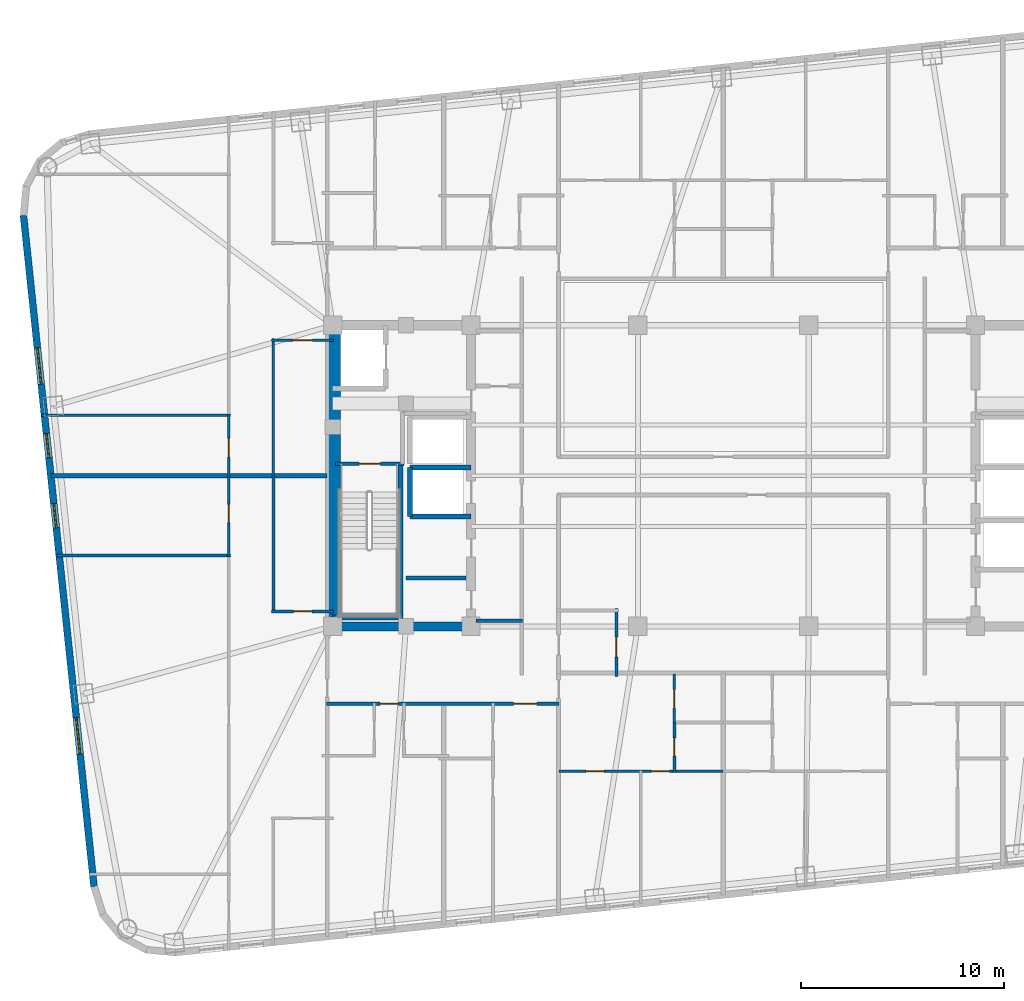
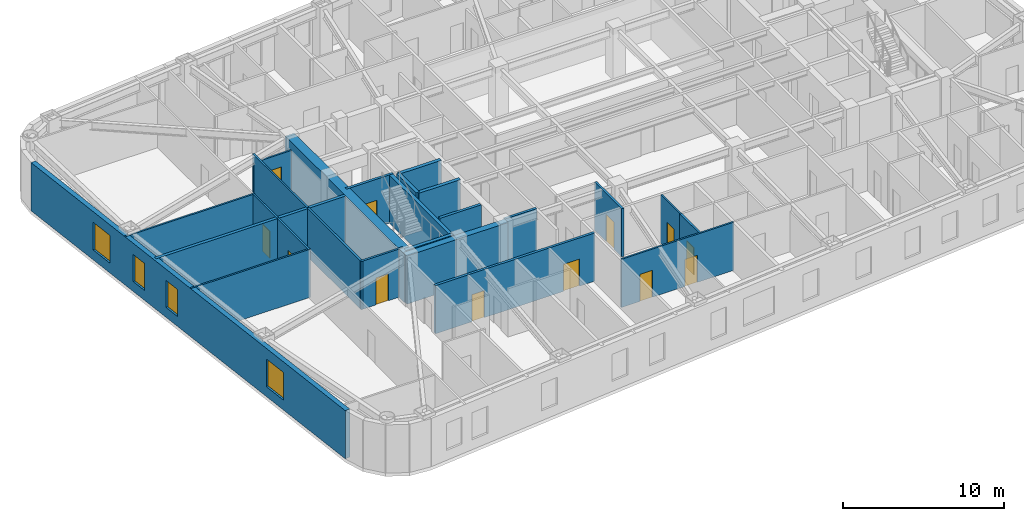
# One storey, part 3 of 11: 25 walls, 12 doors, 4 windows, 16 openings.
"""IFC4 building model written with IfcOpenShell, lengths in metres."""

from ifc_helpers import new_model, si_unit, direction, frame, frame_2d, origin, place, context, subcontext, project, spatial, rectangle, extrude, material, layer, layer_set, type_object, element, fill, save


model = new_model("IFC4")

# Units and contexts
model_context = context("Model", 3, precision=1e-05, world=origin(), true_north=direction((0.0, 1.0)))
body_context = subcontext(model_context, "Body", "Model", "MODEL_VIEW")
ifc_project = project(units=[si_unit("LENGTHUNIT", "METRE"), si_unit("AREAUNIT", "SQUARE_METRE"), si_unit("VOLUMEUNIT", "CUBIC_METRE"), si_unit("PLANEANGLEUNIT", "RADIAN"), si_unit("MASSUNIT", "GRAM", prefix="KILO")], contexts=[model_context])

# Site, building, storey
site_placement = place(None, origin())
site = spatial("IfcSite", under=ifc_project, at=site_placement, CompositionType="ELEMENT")
building_placement = place(site_placement, origin())
building = spatial("IfcBuilding", under=site, at=building_placement, Name="Voryun Gate Residences", CompositionType="ELEMENT")
storey_placement = place(building_placement, frame((0.0, 0.0, 183.300048828125)))
storey = spatial("IfcBuildingStorey", under=building, at=storey_placement, Name="L45", CompositionType="ELEMENT", Elevation=183.300048828125)

# Walls
ifc_material_1 = material(Name="Concrete C50/60", Category="concrete")
ifc_layer_1 = layer(ifc_material_1, 0.449951171875, Name="CW_CORE_450")
ifc_layer_set_1 = layer_set([ifc_layer_1], Name="Concrete C50/60")
wall_type_1 = type_object("IfcWallType", Name="CW_CORE_450", PredefinedType="SHEAR", material=ifc_layer_set_1)
wall_1_placement = place(storey_placement, frame((-19.425048828125, -7.39990234375, 0.0), z_axis=(0.0, 0.0, 1.0), x_axis=(1.0, 0.0, 0.0)))
element("IfcWall", 1, at=wall_1_placement, inside=storey, type_object=wall_type_1, Name="L45 Core shear wall CW-L45-WS", PredefinedType="SHEAR", context=body_context, shape_type="SweptSolid", body=[
    extrude(rectangle(XDim=7.25, YDim=0.449951171875, at=frame_2d((3.625, 0.0))), origin(), (0.0, 0.0, 1.0), 3.64990234375),
])
ifc_material_2 = material(Name="Concrete C60/75", Category="concrete")
ifc_layer_2 = layer(ifc_material_2, 0.64990234375, Name="CW_CORE_650")
ifc_layer_set_2 = layer_set([ifc_layer_2], Name="Concrete C60/75")
wall_type_2 = type_object("IfcWallType", Name="CW_CORE_650", PredefinedType="SHEAR", material=ifc_layer_set_2)
wall_2_placement = place(storey_placement, frame((-19.14501953125, -7.39990234375, 0.0), z_axis=(0.0, 0.0, 1.0), x_axis=(0.0, 1.0, 0.0)))
element("IfcWall", 2, at=wall_2_placement, inside=storey, type_object=wall_type_2, Name="L45 Core shear wall CW-L45-WW", PredefinedType="SHEAR", context=body_context, shape_type="SweptSolid", body=[
    extrude(rectangle(XDim=14.7998046875, YDim=0.64990234375, at=frame_2d((7.39990234375, 0.0))), origin(), (0.0, 0.0, 1.0), 3.64990234375),
])

# Wall, opening, door
ifc_material_3 = material(Name="Gypsum acoustic fireboard")
ifc_layer_3 = layer(ifc_material_3, 0.179931640625, Name="W_CORR_RATED_180")
ifc_layer_set_3 = layer_set([ifc_layer_3], Name="Gypsum acoustic fireboard")
wall_type_3 = type_object("IfcWallType", Name="W_CORR_RATED_180", PredefinedType="PARTITIONING", material=ifc_layer_set_3)
wall_3_placement = place(storey_placement, frame((-19.06005859375, 0.60009765625, 0.0), z_axis=(0.0, 0.0, 1.0), x_axis=(1.0, 0.0, 0.0)))
wall_3 = element("IfcWall", 3, at=wall_3_placement, inside=storey, type_object=wall_type_3, Name="Partition wall WP-L45-STV-W", PredefinedType="PARTITIONING", context=body_context, shape_type="SweptSolid", body=[
    extrude(rectangle(XDim=3.360107421875, YDim=0.179931640625, at=frame_2d((1.68017578125, 0.0))), origin(), (0.0, 0.0, 1.0), 3.64990234375),
])
opening_1_placement = place(wall_3_placement, frame((1.155029296875, 0.0, 0.0)))
opening_1 = element("IfcOpeningElement", 4, at=opening_1_placement, cuts=wall_3, Name="Opening D-FD60-1", PredefinedType="OPENING", context=body_context, shape_type="SweptSolid", body=[
    extrude(rectangle(XDim=1.050048828125, YDim=2.050048828125, at=frame_2d((0.52490234375, 1.02490234375))), frame((0.0, 0.099853515625, 0.0), z_axis=(0.0, -1.0, 0.0), x_axis=(1.0, 0.0, 0.0)), (0.0, 0.0, 1.0), 0.199951171875),
])
ifc_material_4 = material(Name="Painted steel fire door", Category="steel")
door_type_1 = type_object("IfcDoorType", Name="DR_FD60_STAIR_1050", OperationType="NOTDEFINED", PredefinedType="DOOR", material=ifc_material_4)
door_1_placement = place(opening_1_placement, origin())
door_1 = element("IfcDoor", 5, at=door_1_placement, inside=storey, type_object=door_type_1, Name="Door DR-L45-ST-W", OperationType="SINGLE_SWING_LEFT", OverallHeight=2.050048828125, OverallWidth=1.050048828125, PredefinedType="DOOR", context=body_context, shape_type="SweptSolid", body=[
    extrude(rectangle(XDim=1.050048828125, YDim=2.050048828125, at=frame_2d((0.52490234375, 1.02490234375))), frame((0.0, 0.02490234375, 0.0), z_axis=(0.0, -1.0, 0.0), x_axis=(1.0, 0.0, 0.0)), (0.0, 0.0, 1.0), 0.050048828125),
])
fill(opening_1, door_1)

# Wall
wall_4_placement = place(storey_placement, frame((-12.14990234375, -7.1201171875, 0.0), z_axis=(0.0, 0.0, 1.0), x_axis=(1.0, 0.0, 0.0)))
element("IfcWall", 6, at=wall_4_placement, inside=storey, type_object=wall_type_3, Name="Partition wall WP-L45-PLBS-W", PredefinedType="PARTITIONING", context=body_context, shape_type="SweptSolid", body=[
    extrude(rectangle(XDim=2.27001953125, YDim=0.179931640625, at=frame_2d((1.135009765625, 0.0))), origin(), (0.0, 0.0, 1.0), 3.64990234375),
])

# Wall, openings, doors
wall_5_placement = place(storey_placement, frame((-19.5, -11.199951171875, 0.0), z_axis=(0.0, 0.0, 1.0), x_axis=(1.0, 0.0, 0.0)))
wall_5 = element("IfcWall", 7, at=wall_5_placement, inside=storey, type_object=wall_type_3, Name="Partition wall WP-L45-SCORR-W", PredefinedType="PARTITIONING", context=body_context, shape_type="SweptSolid", body=[
    extrude(rectangle(XDim=11.419921875, YDim=0.179931640625, at=frame_2d((5.7099609375, 0.0))), origin(), (0.0, 0.0, 1.0), 3.64990234375),
])
opening_2_placement = place(wall_5_placement, frame((2.623046875, 0.0, 0.0)))
opening_2 = element("IfcOpeningElement", 8, at=opening_2_placement, cuts=wall_5, Name="Opening D-INT-2", PredefinedType="OPENING", context=body_context, shape_type="SweptSolid", body=[
    extrude(rectangle(XDim=0.89990234375, YDim=2.050048828125, at=frame_2d((0.449951171875, 1.02490234375))), frame((0.0, 0.099853515625, 0.0), z_axis=(0.0, -1.0, 0.0), x_axis=(1.0, 0.0, 0.0)), (0.0, 0.0, 1.0), 0.199951171875),
])
opening_3_placement = place(wall_5_placement, frame((9.189208984375, 0.0, 0.0)))
opening_3 = element("IfcOpeningElement", 9, at=opening_3_placement, cuts=wall_5, Name="Opening D-UNIT-1", PredefinedType="OPENING", context=body_context, shape_type="SweptSolid", body=[
    extrude(rectangle(XDim=1.14990234375, YDim=2.050048828125, at=frame_2d((0.574951171875, 1.02490234375))), frame((0.0, 0.099853515625, 0.0), z_axis=(0.0, -1.0, 0.0), x_axis=(1.0, 0.0, 0.0)), (0.0, 0.0, 1.0), 0.199951171875),
])
ifc_material_5 = material(Name="Architectural oak veneer")
door_type_2 = type_object("IfcDoorType", Name="DR_INT_BATH_900", OperationType="NOTDEFINED", PredefinedType="DOOR", material=ifc_material_5)
door_2_placement = place(opening_2_placement, origin())
door_2 = element("IfcDoor", 10, at=door_2_placement, inside=storey, type_object=door_type_2, Name="Door DR-L45-SENT-1", OperationType="SINGLE_SWING_RIGHT", OverallHeight=2.050048828125, OverallWidth=0.89990234375, PredefinedType="DOOR", context=body_context, shape_type="SweptSolid", body=[
    extrude(rectangle(XDim=0.89990234375, YDim=2.050048828125, at=frame_2d((0.449951171875, 1.02490234375))), frame((0.0, 0.02490234375, 0.0), z_axis=(0.0, -1.0, 0.0), x_axis=(1.0, 0.0, 0.0)), (0.0, 0.0, 1.0), 0.050048828125),
])
fill(opening_2, door_2)
ifc_material_6 = material(Name="Armoured timber-clad fire door", Category="wood")
door_type_3 = type_object("IfcDoorType", Name="DR_UNIT_ENTRY_1150", OperationType="NOTDEFINED", PredefinedType="DOOR", material=ifc_material_6)
door_3_placement = place(opening_3_placement, origin())
door_3 = element("IfcDoor", 11, at=door_3_placement, inside=storey, type_object=door_type_3, Name="Door DR-L45-SENT-2", OperationType="SINGLE_SWING_LEFT", OverallHeight=2.050048828125, OverallWidth=1.14990234375, PredefinedType="DOOR", context=body_context, shape_type="SweptSolid", body=[
    extrude(rectangle(XDim=1.14990234375, YDim=2.050048828125, at=frame_2d((0.574951171875, 1.02490234375))), frame((0.0, 0.02490234375, 0.0), z_axis=(0.0, -1.0, 0.0), x_axis=(1.0, 0.0, 0.0)), (0.0, 0.0, 1.0), 0.050048828125),
])
fill(opening_3, door_3)

# Wall, openings, windows
ifc_material_7 = material(Name="Charcoal terracotta masonry", Category="masonry")
ifc_layer_4 = layer(ifc_material_7, 0.340087890625, Name="W_EXT_TERRACOTTA_340")
ifc_layer_set_4 = layer_set([ifc_layer_4], Name="Charcoal terracotta masonry")
wall_type_4 = type_object("IfcWallType", Name="W_EXT_TERRACOTTA_340", PredefinedType="ELEMENTEDWALL", material=ifc_layer_set_4)
wall_6_placement = place(storey_placement, frame((-30.934326171875, -20.189697265625, 0.0), z_axis=(0.0, 0.0, 1.0), x_axis=(-0.10452691388, 0.994522058214, 0.0)))
wall_6 = element("IfcWall", 12, at=wall_6_placement, inside=storey, type_object=wall_type_4, Name="Exterior wall WEXT-L45-06", PredefinedType="ELEMENTEDWALL", context=body_context, shape_type="SweptSolid", body=[
    extrude(rectangle(XDim=33.16650390625, YDim=0.340087890625, at=frame_2d((16.583251953125, 0.0))), origin(), (0.0, 0.0, 1.0), 3.64990234375),
])
opening_4_placement = place(wall_6_placement, frame((6.54150390625, 0.0, 0.75)))
opening_4 = element("IfcOpeningElement", 13, at=opening_4_placement, cuts=wall_6, Name="Opening WN1", PredefinedType="OPENING", context=body_context, shape_type="SweptSolid", body=[
    extrude(rectangle(XDim=1.800048828125, YDim=2.10009765625, at=frame_2d((0.89990234375, 1.050048828125))), frame((0.0, 0.179931640625, 0.0), z_axis=(0.0, -1.0, 0.0), x_axis=(1.0, 0.0, 0.0)), (0.0, 0.0, 1.0), 0.360107421875),
])
opening_5_placement = place(wall_6_placement, frame((24.824951171875, 0.0, 0.75)))
opening_5 = element("IfcOpeningElement", 14, at=opening_5_placement, cuts=wall_6, Name="Opening WN1", PredefinedType="OPENING", context=body_context, shape_type="SweptSolid", body=[
    extrude(rectangle(XDim=1.800048828125, YDim=2.10009765625, at=frame_2d((0.89990234375, 1.050048828125))), frame((0.0, 0.179931640625, 0.0), z_axis=(0.0, -1.0, 0.0), x_axis=(1.0, 0.0, 0.0)), (0.0, 0.0, 1.0), 0.360107421875),
])
opening_6_placement = place(wall_6_placement, frame((17.728759765625, 0.0, 0.75)))
opening_6 = element("IfcOpeningElement", 15, at=opening_6_placement, cuts=wall_6, Name="Opening WN6", PredefinedType="OPENING", context=body_context, shape_type="SweptSolid", body=[
    extrude(rectangle(XDim=1.199951171875, YDim=2.050048828125, at=frame_2d((0.60009765625, 1.02490234375))), frame((0.0, 0.179931640625, 0.0), z_axis=(0.0, -1.0, 0.0), x_axis=(1.0, 0.0, 0.0)), (0.0, 0.0, 1.0), 0.360107421875),
])
opening_7_placement = place(wall_6_placement, frame((21.1962890625, 0.0, 0.75)))
opening_7 = element("IfcOpeningElement", 16, at=opening_7_placement, cuts=wall_6, Name="Opening WN6", PredefinedType="OPENING", context=body_context, shape_type="SweptSolid", body=[
    extrude(rectangle(XDim=1.199951171875, YDim=2.050048828125, at=frame_2d((0.60009765625, 1.02490234375))), frame((0.0, 0.179931640625, 0.0), z_axis=(0.0, -1.0, 0.0), x_axis=(1.0, 0.0, 0.0)), (0.0, 0.0, 1.0), 0.360107421875),
])
ifc_material_8 = material(Name="Laminated low-E glass", Category="glass")
window_type_1 = type_object("IfcWindowType", Name="WN_POD_SLOT_1200", PartitioningType="SINGLE_PANEL", PredefinedType="WINDOW", material=ifc_material_8)
window_1_placement = place(opening_6_placement, origin())
window_1 = element("IfcWindow", 17, at=window_1_placement, inside=storey, type_object=window_type_1, Name="Window WN-L45-DWFIX-21", OverallHeight=2.050048828125, OverallWidth=1.199951171875, PartitioningType="SINGLE_PANEL", PredefinedType="WINDOW", context=body_context, shape_type="SweptSolid", body=[
    extrude(rectangle(XDim=1.199951171875, YDim=2.050048828125, at=frame_2d((0.60009765625, 1.02490234375))), frame((0.0, 0.030029296875, 0.0), z_axis=(0.0, -1.0, 0.0), x_axis=(1.0, 0.0, 0.0)), (0.0, 0.0, 1.0), 0.06005859375),
])
fill(opening_6, window_1)
window_2_placement = place(opening_7_placement, origin())
window_2 = element("IfcWindow", 18, at=window_2_placement, inside=storey, type_object=window_type_1, Name="Window WN-L45-DWFIX-25", OverallHeight=2.050048828125, OverallWidth=1.199951171875, PartitioningType="SINGLE_PANEL", PredefinedType="WINDOW", context=body_context, shape_type="SweptSolid", body=[
    extrude(rectangle(XDim=1.199951171875, YDim=2.050048828125, at=frame_2d((0.60009765625, 1.02490234375))), frame((0.0, 0.030029296875, 0.0), z_axis=(0.0, -1.0, 0.0), x_axis=(1.0, 0.0, 0.0)), (0.0, 0.0, 1.0), 0.06005859375),
])
fill(opening_7, window_2)
ifc_material_9 = material(Name="Laminated low-E glass", Category="glass")
window_type_2 = type_object("IfcWindowType", Name="WN_RES_PUNCH_1800", PartitioningType="SINGLE_PANEL", PredefinedType="WINDOW", material=ifc_material_9)
window_3_placement = place(opening_4_placement, origin())
window_3 = element("IfcWindow", 19, at=window_3_placement, inside=storey, type_object=window_type_2, Name="Window WN-WEXT-L45-06-01", OverallHeight=2.10009765625, OverallWidth=1.800048828125, PartitioningType="SINGLE_PANEL", PredefinedType="WINDOW", context=body_context, shape_type="SweptSolid", body=[
    extrude(rectangle(XDim=1.800048828125, YDim=2.10009765625, at=frame_2d((0.89990234375, 1.050048828125))), frame((0.0, 0.030029296875, 0.0), z_axis=(0.0, -1.0, 0.0), x_axis=(1.0, 0.0, 0.0)), (0.0, 0.0, 1.0), 0.06005859375),
])
fill(opening_4, window_3)
window_4_placement = place(opening_5_placement, origin())
window_4 = element("IfcWindow", 20, at=window_4_placement, inside=storey, type_object=window_type_2, Name="Window WN-WEXT-L45-06-02", OverallHeight=2.10009765625, OverallWidth=1.800048828125, PartitioningType="SINGLE_PANEL", PredefinedType="WINDOW", context=body_context, shape_type="SweptSolid", body=[
    extrude(rectangle(XDim=1.800048828125, YDim=2.10009765625, at=frame_2d((0.89990234375, 1.050048828125))), frame((0.0, 0.030029296875, 0.0), z_axis=(0.0, -1.0, 0.0), x_axis=(1.0, 0.0, 0.0)), (0.0, 0.0, 1.0), 0.06005859375),
])
fill(opening_5, window_4)

# Walls
ifc_material_10 = material(Name="Concrete C40/50", Category="concrete")
ifc_layer_5 = layer(ifc_material_10, 0.199951171875, Name="W_FF_LOBBY_200")
ifc_layer_set_5 = layer_set([ifc_layer_5], Name="Concrete C40/50")
wall_type_5 = type_object("IfcWallType", Name="W_FF_LOBBY_200", PredefinedType="PARTITIONING", material=ifc_layer_set_5)
wall_7_placement = place(storey_placement, frame((-15.60009765625, -5.030029296875, 0.0), z_axis=(0.0, 0.0, 1.0), x_axis=(1.0, 0.0, 0.0)))
element("IfcWall", 21, at=wall_7_placement, inside=storey, type_object=wall_type_5, Name="Partition wall WP-L45-RECWB", PredefinedType="PARTITIONING", context=body_context, shape_type="SweptSolid", body=[
    extrude(rectangle(XDim=2.940185546875, YDim=0.199951171875, at=frame_2d((1.47021484375, 0.0))), origin(), (0.0, 0.0, 1.0), 3.64990234375),
])
ifc_material_11 = material(Name="Concrete C40/50", Category="concrete")
ifc_layer_6 = layer(ifc_material_11, 0.219970703125, Name="W_PARTY_ACOUSTIC_220")
ifc_layer_set_6 = layer_set([ifc_layer_6], Name="Concrete C40/50")
wall_type_6 = type_object("IfcWallType", Name="W_PARTY_ACOUSTIC_220", PredefinedType="PARTITIONING", material=ifc_layer_set_6)
wall_8_placement = place(storey_placement, frame((-19.469970703125, 0.0, 0.0), z_axis=(0.0, 0.0, 1.0), x_axis=(-1.0, 0.0, 0.0)))
element("IfcWall", 22, at=wall_8_placement, inside=storey, type_object=wall_type_6, Name="Partition wall WP-L45-WPTY", PredefinedType="PARTITIONING", context=body_context, shape_type="SweptSolid", body=[
    extrude(rectangle(XDim=13.58642578125, YDim=0.219970703125, at=frame_2d((6.793212890625, 0.0))), origin(), (0.0, 0.0, 1.0), 3.64990234375),
])
ifc_material_12 = material(Name="Concrete C50/60", Category="concrete")
ifc_layer_7 = layer(ifc_material_12, 0.25, Name="W_SHAFT_RC250")
ifc_layer_set_7 = layer_set([ifc_layer_7], Name="Concrete C50/60")
wall_type_7 = type_object("IfcWallType", Name="W_SHAFT_RC250", PredefinedType="SOLIDWALL", material=ifc_layer_set_7)
wall_9_placement = place(storey_placement, frame((-15.860107421875, -7.0849609375, 0.0), z_axis=(0.0, 0.0, 1.0), x_axis=(0.0, 1.0, 0.0)))
element("IfcWall", 23, at=wall_9_placement, inside=storey, type_object=wall_type_7, Name="L45 Stair shaft structural wall W-STR", PredefinedType="SOLIDWALL", context=body_context, shape_type="SweptSolid", body=[
    extrude(rectangle(XDim=7.68505859375, YDim=0.25, at=frame_2d((3.842529296875, 0.0))), origin(), (0.0, 0.0, 1.0), 3.64990234375),
])
wall_10_placement = place(storey_placement, frame((-19.199951171875, -6.965087890625, 0.0), z_axis=(0.0, 0.0, 1.0), x_axis=(1.0, 0.0, 0.0)))
element("IfcWall", 24, at=wall_10_placement, inside=storey, type_object=wall_type_7, Name="L45 Stair shaft structural wall W-STS", PredefinedType="SOLIDWALL", context=body_context, shape_type="SweptSolid", body=[
    extrude(rectangle(XDim=3.4599609375, YDim=0.25, at=frame_2d((1.72998046875, 0.0))), origin(), (0.0, 0.0, 1.0), 3.64990234375),
])
for number, where, z_axis, x_axis, name in (
    (25, (-15.39990234375, -2.0, 0.0), (0.0, 0.0, 1.0), (1.0, 0.0, 0.0), "Lift shaft wall WSH-L45-EL-P4-S"),
    (26, (-12.39990234375, 0.39990234375, 0.0), (0.0, 0.0, 1.0), (-1.0, 0.0, 0.0), "Lift shaft wall WSH-L45-EL-P4-N"),
):
    element("IfcWall", number, at=place(storey_placement, frame(where, z_axis=z_axis, x_axis=x_axis)), inside=storey, type_object=wall_type_7, Name=name, PredefinedType="SOLIDWALL", context=body_context, shape_type="SweptSolid", body=[
        extrude(rectangle(XDim=3.0, YDim=0.25, at=frame_2d((1.5, 0.0))), origin(), (0.0, 0.0, 1.0), 3.64990234375),
    ])
wall_11_placement = place(storey_placement, frame((-15.39990234375, 0.39990234375, 0.0), z_axis=(0.0, 0.0, 1.0), x_axis=(0.0, -1.0, 0.0)))
element("IfcWall", 27, at=wall_11_placement, inside=storey, type_object=wall_type_7, Name="Lift shaft wall WSH-L45-EL-P4-W", PredefinedType="SOLIDWALL", context=body_context, shape_type="SweptSolid", body=[
    extrude(rectangle(XDim=2.39990234375, YDim=0.25, at=frame_2d((1.199951171875, 0.0))), origin(), (0.0, 0.0, 1.0), 3.64990234375),
])

# Wall, openings, doors
ifc_material_13 = material(Name="Gypsum acoustic partition")
ifc_layer_8 = layer(ifc_material_13, 0.125, Name="W_UNIT_PART_125")
ifc_layer_set_8 = layer_set([ifc_layer_8], Name="Gypsum acoustic partition")
wall_type_8 = type_object("IfcWallType", Name="W_UNIT_PART_125", PredefinedType="PARTITIONING", material=ifc_layer_set_8)
wall_12_placement = place(storey_placement, frame((-8.080078125, -14.530029296875, 0.0), z_axis=(0.0, 0.0, 1.0), x_axis=(1.0, 0.0, 0.0)))
wall_12 = element("IfcWall", 28, at=wall_12_placement, inside=storey, type_object=wall_type_8, Name="Partition wall WP-L45-SC1-HZ", PredefinedType="PARTITIONING", context=body_context, shape_type="SweptSolid", body=[
    extrude(rectangle(XDim=8.06005859375, YDim=0.125, at=frame_2d((4.030029296875, 0.0))), origin(), (0.0, 0.0, 1.0), 3.64990234375),
])
opening_8_placement = place(wall_12_placement, frame((1.3232421875, 0.0, 0.0)))
opening_8 = element("IfcOpeningElement", 29, at=opening_8_placement, cuts=wall_12, Name="Opening D-INT-2", PredefinedType="OPENING", context=body_context, shape_type="SweptSolid", body=[
    extrude(rectangle(XDim=0.89990234375, YDim=2.050048828125, at=frame_2d((0.449951171875, 1.02490234375))), frame((0.0, 0.072509765625, 0.0), z_axis=(0.0, -1.0, 0.0), x_axis=(1.0, 0.0, 0.0)), (0.0, 0.0, 1.0), 0.14501953125),
])
opening_9_placement = place(wall_12_placement, frame((4.547119140625, 0.0, 0.0)))
opening_9 = element("IfcOpeningElement", 30, at=opening_9_placement, cuts=wall_12, Name="Opening D-INT-2", PredefinedType="OPENING", context=body_context, shape_type="SweptSolid", body=[
    extrude(rectangle(XDim=0.89990234375, YDim=2.050048828125, at=frame_2d((0.449951171875, 1.02490234375))), frame((0.0, 0.072509765625, 0.0), z_axis=(0.0, -1.0, 0.0), x_axis=(1.0, 0.0, 0.0)), (0.0, 0.0, 1.0), 0.14501953125),
])
door_4_placement = place(opening_8_placement, origin())
door_4 = element("IfcDoor", 31, at=door_4_placement, inside=storey, type_object=door_type_2, Name="Door DR-L45-SC1-DMB", OperationType="SINGLE_SWING_LEFT", OverallHeight=2.050048828125, OverallWidth=0.89990234375, PredefinedType="DOOR", context=body_context, shape_type="SweptSolid", body=[
    extrude(rectangle(XDim=0.89990234375, YDim=2.050048828125, at=frame_2d((0.449951171875, 1.02490234375))), frame((0.0, 0.02490234375, 0.0), z_axis=(0.0, -1.0, 0.0), x_axis=(1.0, 0.0, 0.0)), (0.0, 0.0, 1.0), 0.050048828125),
])
fill(opening_8, door_4)
door_5_placement = place(opening_9_placement, origin())
door_5 = element("IfcDoor", 32, at=door_5_placement, inside=storey, type_object=door_type_2, Name="Door DR-L45-SC1-DBD2", OperationType="SINGLE_SWING_RIGHT", OverallHeight=2.050048828125, OverallWidth=0.89990234375, PredefinedType="DOOR", context=body_context, shape_type="SweptSolid", body=[
    extrude(rectangle(XDim=0.89990234375, YDim=2.050048828125, at=frame_2d((0.449951171875, 1.02490234375))), frame((0.0, 0.02490234375, 0.0), z_axis=(0.0, -1.0, 0.0), x_axis=(1.0, 0.0, 0.0)), (0.0, 0.0, 1.0), 0.050048828125),
])
fill(opening_9, door_5)

# Wall, opening, door
wall_13_placement = place(storey_placement, frame((-2.409912109375, -12.159912109375, 0.0), z_axis=(0.0, 0.0, 1.0), x_axis=(0.0, 1.0, 0.0)))
wall_13 = element("IfcWall", 33, at=wall_13_placement, inside=storey, type_object=wall_type_8, Name="Partition wall WP-L45-SC1-VK1", PredefinedType="PARTITIONING", context=body_context, shape_type="SweptSolid", body=[
    extrude(rectangle(XDim=2.409912109375, YDim=0.125, at=frame_2d((1.205078125, 0.0))), origin(), (0.0, 0.0, 1.0), 3.64990234375),
])
opening_10_placement = place(wall_13_placement, frame((0.7548828125, 0.0, 0.0)))
opening_10 = element("IfcOpeningElement", 34, at=opening_10_placement, cuts=wall_13, Name="Opening D-INT-2", PredefinedType="OPENING", context=body_context, shape_type="SweptSolid", body=[
    extrude(rectangle(XDim=0.89990234375, YDim=2.050048828125, at=frame_2d((0.449951171875, 1.02490234375))), frame((0.0, 0.072509765625, 0.0), z_axis=(0.0, -1.0, 0.0), x_axis=(1.0, 0.0, 0.0)), (0.0, 0.0, 1.0), 0.14501953125),
])
door_6_placement = place(opening_10_placement, origin())
door_6 = element("IfcDoor", 35, at=door_6_placement, inside=storey, type_object=door_type_2, Name="Door DR-L45-SC1-DK", OperationType="SINGLE_SWING_LEFT", OverallHeight=2.050048828125, OverallWidth=0.89990234375, PredefinedType="DOOR", context=body_context, shape_type="SweptSolid", body=[
    extrude(rectangle(XDim=0.89990234375, YDim=2.050048828125, at=frame_2d((0.449951171875, 1.02490234375))), frame((0.0, 0.02490234375, 0.0), z_axis=(0.0, -1.0, 0.0), x_axis=(1.0, 0.0, 0.0)), (0.0, 0.0, 1.0), 0.050048828125),
])
fill(opening_10, door_6)

# Wall
wall_14_placement = place(storey_placement, frame((-32.79541015625, -3.91796875, 0.0), z_axis=(0.0, 0.0, 1.0), x_axis=(1.0, 0.0, 0.0)))
element("IfcWall", 36, at=wall_14_placement, inside=storey, type_object=wall_type_8, Name="Partition wall WP-L45-W1-OH2", PredefinedType="PARTITIONING", context=body_context, shape_type="SweptSolid", body=[
    extrude(rectangle(XDim=8.575439453125, YDim=0.125, at=frame_2d((4.28759765625, 0.0))), origin(), (0.0, 0.0, 1.0), 3.64990234375),
])

# Wall, opening, door
wall_15_placement = place(storey_placement, frame((-24.300048828125, -3.968017578125, 0.0), z_axis=(0.0, 0.0, 1.0), x_axis=(0.0, 1.0, 0.0)))
wall_15 = element("IfcWall", 37, at=wall_15_placement, inside=storey, type_object=wall_type_8, Name="Partition wall WP-L45-W1-OVX3", PredefinedType="PARTITIONING", context=body_context, shape_type="SweptSolid", body=[
    extrude(rectangle(XDim=4.030517578125, YDim=0.125, at=frame_2d((2.01513671875, 0.0))), origin(), (0.0, 0.0, 1.0), 3.64990234375),
])
opening_11_placement = place(wall_15_placement, frame((1.6640625, 0.0, 0.0)))
opening_11 = element("IfcOpeningElement", 38, at=opening_11_placement, cuts=wall_15, Name="Opening D-INT-2", PredefinedType="OPENING", context=body_context, shape_type="SweptSolid", body=[
    extrude(rectangle(XDim=0.89990234375, YDim=2.050048828125, at=frame_2d((0.449951171875, 1.02490234375))), frame((0.0, 0.072509765625, 0.0), z_axis=(0.0, -1.0, 0.0), x_axis=(1.0, 0.0, 0.0)), (0.0, 0.0, 1.0), 0.14501953125),
])
door_7_placement = place(opening_11_placement, origin())
door_7 = element("IfcDoor", 39, at=door_7_placement, inside=storey, type_object=door_type_2, Name="Door DR-L45-W1-DMB", OperationType="SINGLE_SWING_LEFT", OverallHeight=2.050048828125, OverallWidth=0.89990234375, PredefinedType="DOOR", context=body_context, shape_type="SweptSolid", body=[
    extrude(rectangle(XDim=0.89990234375, YDim=2.050048828125, at=frame_2d((0.449951171875, 1.02490234375))), frame((0.0, 0.02490234375, 0.0), z_axis=(0.0, -1.0, 0.0), x_axis=(1.0, 0.0, 0.0)), (0.0, 0.0, 1.0), 0.050048828125),
])
fill(opening_11, door_7)

# Wall
wall_16_placement = place(storey_placement, frame((-33.520263671875, 2.97900390625, 0.0), z_axis=(0.0, 0.0, 1.0), x_axis=(1.0, 0.0, 0.0)))
element("IfcWall", 40, at=wall_16_placement, inside=storey, type_object=wall_type_8, Name="Partition wall WP-L45-W2-OH1", PredefinedType="PARTITIONING", context=body_context, shape_type="SweptSolid", body=[
    extrude(rectangle(XDim=9.30029296875, YDim=0.125, at=frame_2d((4.650146484375, 0.0))), origin(), (0.0, 0.0, 1.0), 3.64990234375),
])

# Wall, opening, door
wall_17_placement = place(storey_placement, frame((-24.300048828125, -0.0625, 0.0), z_axis=(0.0, 0.0, 1.0), x_axis=(0.0, 1.0, 0.0)))
wall_17 = element("IfcWall", 41, at=wall_17_placement, inside=storey, type_object=wall_type_8, Name="Partition wall WP-L45-W2-OVX1", PredefinedType="PARTITIONING", context=body_context, shape_type="SweptSolid", body=[
    extrude(rectangle(XDim=3.091552734375, YDim=0.125, at=frame_2d((1.5458984375, 0.0))), origin(), (0.0, 0.0, 1.0), 3.64990234375),
])
opening_12_placement = place(wall_17_placement, frame((0.9970703125, 0.0, 0.0)))
opening_12 = element("IfcOpeningElement", 42, at=opening_12_placement, cuts=wall_17, Name="Opening D-INT-2", PredefinedType="OPENING", context=body_context, shape_type="SweptSolid", body=[
    extrude(rectangle(XDim=0.89990234375, YDim=2.050048828125, at=frame_2d((0.449951171875, 1.02490234375))), frame((0.0, 0.072509765625, 0.0), z_axis=(0.0, -1.0, 0.0), x_axis=(1.0, 0.0, 0.0)), (0.0, 0.0, 1.0), 0.14501953125),
])
door_8_placement = place(opening_12_placement, origin())
door_8 = element("IfcDoor", 43, at=door_8_placement, inside=storey, type_object=door_type_2, Name="Door DR-L45-W2-DBD2", OperationType="SINGLE_SWING_LEFT", OverallHeight=2.050048828125, OverallWidth=0.89990234375, PredefinedType="DOOR", context=body_context, shape_type="SweptSolid", body=[
    extrude(rectangle(XDim=0.89990234375, YDim=2.050048828125, at=frame_2d((0.449951171875, 1.02490234375))), frame((0.0, 0.02490234375, 0.0), z_axis=(0.0, -1.0, 0.0), x_axis=(1.0, 0.0, 0.0)), (0.0, 0.0, 1.0), 0.050048828125),
])
fill(opening_12, door_8)

wall_18_placement = place(storey_placement, frame((-22.199951171875, 6.659912109375, 0.0), z_axis=(0.0, 0.0, 1.0), x_axis=(1.0, 0.0, 0.0)))
wall_18 = element("IfcWall", 44, at=wall_18_placement, inside=storey, type_object=wall_type_8, Name="Partition wall WP-L45-W2-IKA", PredefinedType="PARTITIONING", context=body_context, shape_type="SweptSolid", body=[
    extrude(rectangle(XDim=3.050048828125, YDim=0.125, at=frame_2d((1.52490234375, 0.0))), origin(), (0.0, 0.0, 1.0), 3.0400390625),
])
opening_13_placement = place(wall_18_placement, frame((1.050048828125, 0.0, 0.0)))
opening_13 = element("IfcOpeningElement", 45, at=opening_13_placement, cuts=wall_18, Name="Opening D-INT-1", PredefinedType="OPENING", context=body_context, shape_type="SweptSolid", body=[
    extrude(rectangle(XDim=0.949951171875, YDim=2.050048828125, at=frame_2d((0.47509765625, 1.02490234375))), frame((0.0, 0.072509765625, 0.0), z_axis=(0.0, -1.0, 0.0), x_axis=(1.0, 0.0, 0.0)), (0.0, 0.0, 1.0), 0.14501953125),
])
ifc_material_14 = material(Name="Architectural oak veneer")
door_type_4 = type_object("IfcDoorType", Name="DR_INT_ROOM_950", OperationType="NOTDEFINED", PredefinedType="DOOR", material=ifc_material_14)
door_9_placement = place(opening_13_placement, origin())
door_9 = element("IfcDoor", 46, at=door_9_placement, inside=storey, type_object=door_type_4, Name="Door DR-L45-W2-DK", OperationType="SINGLE_SWING_LEFT", OverallHeight=2.050048828125, OverallWidth=0.949951171875, PredefinedType="DOOR", context=body_context, shape_type="SweptSolid", body=[
    extrude(rectangle(XDim=0.949951171875, YDim=2.050048828125, at=frame_2d((0.47509765625, 1.02490234375))), frame((0.0, 0.02490234375, 0.0), z_axis=(0.0, -1.0, 0.0), x_axis=(1.0, 0.0, 0.0)), (0.0, 0.0, 1.0), 0.050048828125),
])
fill(opening_13, door_9)

# Wall
wall_19_placement = place(storey_placement, frame((-22.1201171875, 0.02001953125, 0.0), z_axis=(0.0, 0.0, 1.0), x_axis=(0.0, 1.0, 0.0)))
element("IfcWall", 47, at=wall_19_placement, inside=storey, type_object=wall_type_8, Name="Partition wall WP-L45-W2-VTA", PredefinedType="PARTITIONING", context=body_context, shape_type="SweptSolid", body=[
    extrude(rectangle(XDim=6.719970703125, YDim=0.125, at=frame_2d((3.35986328125, 0.0))), origin(), (0.0, 0.0, 1.0), 3.64990234375),
])

# Wall, opening, door
ifc_material_15 = material(Name="Gypsum moisture-resistant partition")
ifc_layer_9 = layer(ifc_material_15, 0.14990234375, Name="W_WET_PLUMB_150")
ifc_layer_set_9 = layer_set([ifc_layer_9], Name="Gypsum moisture-resistant partition")
wall_type_9 = type_object("IfcWallType", Name="W_WET_PLUMB_150", PredefinedType="PLUMBINGWALL", material=ifc_layer_set_9)
wall_20_placement = place(storey_placement, frame((-5.260009765625, -9.8701171875, 0.0), z_axis=(0.0, 0.0, 1.0), x_axis=(0.0, 1.0, 0.0)))
wall_20 = element("IfcWall", 48, at=wall_20_placement, inside=storey, type_object=wall_type_9, Name="Partition wall WP-L45-CMWCX", PredefinedType="PLUMBINGWALL", context=body_context, shape_type="SweptSolid", body=[
    extrude(rectangle(XDim=3.35009765625, YDim=0.14990234375, at=frame_2d((1.675048828125, 0.0))), origin(), (0.0, 0.0, 1.0), 3.64990234375),
])
opening_14_placement = place(wall_20_placement, frame((0.955078125, 0.0, 0.0)))
opening_14 = element("IfcOpeningElement", 49, at=opening_14_placement, cuts=wall_20, Name="Opening D-AWC-1", PredefinedType="OPENING", context=body_context, shape_type="SweptSolid", body=[
    extrude(rectangle(XDim=1.0, YDim=2.050048828125, at=frame_2d((0.5, 1.02490234375))), frame((0.0, 0.0849609375, 0.0), z_axis=(0.0, -1.0, 0.0), x_axis=(1.0, 0.0, 0.0)), (0.0, 0.0, 1.0), 0.169921875),
])
ifc_material_16 = material(Name="Architectural oak veneer")
door_type_5 = type_object("IfcDoorType", Name="DR_ACC_WC_1000", OperationType="NOTDEFINED", PredefinedType="DOOR", material=ifc_material_16)
door_10_placement = place(opening_14_placement, origin())
door_10 = element("IfcDoor", 50, at=door_10_placement, inside=storey, type_object=door_type_5, Name="Door DR-L45-CMWC", OperationType="SINGLE_SWING_LEFT", OverallHeight=2.050048828125, OverallWidth=1.0, PredefinedType="DOOR", context=body_context, shape_type="SweptSolid", body=[
    extrude(rectangle(XDim=1.0, YDim=2.050048828125, at=frame_2d((0.5, 1.02490234375))), frame((0.0, 0.02490234375, 0.0), z_axis=(0.0, -1.0, 0.0), x_axis=(1.0, 0.0, 0.0)), (0.0, 0.0, 1.0), 0.050048828125),
])
fill(opening_14, door_10)

wall_21_placement = place(storey_placement, frame((-2.409912109375, -14.570068359375, 0.0), z_axis=(0.0, 0.0, 1.0), x_axis=(0.0, 1.0, 0.0)))
wall_21 = element("IfcWall", 51, at=wall_21_placement, inside=storey, type_object=wall_type_9, Name="Partition wall WP-L45-SC1-VK2", PredefinedType="PLUMBINGWALL", context=body_context, shape_type="SweptSolid", body=[
    extrude(rectangle(XDim=2.469970703125, YDim=0.14990234375, at=frame_2d((1.23486328125, 0.0))), origin(), (0.0, 0.0, 1.0), 3.64990234375),
])
opening_15_placement = place(wall_21_placement, frame((0.784912109375, 0.0, 0.0)))
opening_15 = element("IfcOpeningElement", 52, at=opening_15_placement, cuts=wall_21, Name="Opening D-INT-2", PredefinedType="OPENING", context=body_context, shape_type="SweptSolid", body=[
    extrude(rectangle(XDim=0.89990234375, YDim=2.050048828125, at=frame_2d((0.449951171875, 1.02490234375))), frame((0.0, 0.0849609375, 0.0), z_axis=(0.0, -1.0, 0.0), x_axis=(1.0, 0.0, 0.0)), (0.0, 0.0, 1.0), 0.169921875),
])
door_11_placement = place(opening_15_placement, origin())
door_11 = element("IfcDoor", 53, at=door_11_placement, inside=storey, type_object=door_type_2, Name="Door DR-L45-SC1-DB", OperationType="SINGLE_SWING_RIGHT", OverallHeight=2.050048828125, OverallWidth=0.89990234375, PredefinedType="DOOR", context=body_context, shape_type="SweptSolid", body=[
    extrude(rectangle(XDim=0.89990234375, YDim=2.050048828125, at=frame_2d((0.449951171875, 1.02490234375))), frame((0.0, 0.02490234375, 0.0), z_axis=(0.0, -1.0, 0.0), x_axis=(1.0, 0.0, 0.0)), (0.0, 0.0, 1.0), 0.050048828125),
])
fill(opening_15, door_11)

wall_22_placement = place(storey_placement, frame((-22.199951171875, -6.659912109375, 0.0), z_axis=(0.0, 0.0, 1.0), x_axis=(1.0, 0.0, 0.0)))
wall_22 = element("IfcWall", 54, at=wall_22_placement, inside=storey, type_object=wall_type_9, Name="Partition wall WP-L45-W1-IBB", PredefinedType="PLUMBINGWALL", context=body_context, shape_type="SweptSolid", body=[
    extrude(rectangle(XDim=3.050048828125, YDim=0.14990234375, at=frame_2d((1.52490234375, 0.0))), origin(), (0.0, 0.0, 1.0), 3.64990234375),
])
opening_16_placement = place(wall_22_placement, frame((1.074951171875, 0.0, 0.0)))
opening_16 = element("IfcOpeningElement", 55, at=opening_16_placement, cuts=wall_22, Name="Opening D-INT-2", PredefinedType="OPENING", context=body_context, shape_type="SweptSolid", body=[
    extrude(rectangle(XDim=0.89990234375, YDim=2.050048828125, at=frame_2d((0.449951171875, 1.02490234375))), frame((0.0, 0.0849609375, 0.0), z_axis=(0.0, -1.0, 0.0), x_axis=(1.0, 0.0, 0.0)), (0.0, 0.0, 1.0), 0.169921875),
])
door_12_placement = place(opening_16_placement, origin())
door_12 = element("IfcDoor", 56, at=door_12_placement, inside=storey, type_object=door_type_2, Name="Door DR-L45-W1-DB", OperationType="SINGLE_SWING_RIGHT", OverallHeight=2.050048828125, OverallWidth=0.89990234375, PredefinedType="DOOR", context=body_context, shape_type="SweptSolid", body=[
    extrude(rectangle(XDim=0.89990234375, YDim=2.050048828125, at=frame_2d((0.449951171875, 1.02490234375))), frame((0.0, 0.02490234375, 0.0), z_axis=(0.0, -1.0, 0.0), x_axis=(1.0, 0.0, 0.0)), (0.0, 0.0, 1.0), 0.050048828125),
])
fill(opening_16, door_12)

# Wall
wall_23_placement = place(storey_placement, frame((-22.1201171875, -6.739990234375, 0.0), z_axis=(0.0, 0.0, 1.0), x_axis=(0.0, 1.0, 0.0)))
element("IfcWall", 57, at=wall_23_placement, inside=storey, type_object=wall_type_9, Name="Partition wall WP-L45-W1-VTB", PredefinedType="PLUMBINGWALL", context=body_context, shape_type="SweptSolid", body=[
    extrude(rectangle(XDim=6.719970703125, YDim=0.14990234375, at=frame_2d((3.35986328125, 0.0))), origin(), (0.0, 0.0, 1.0), 3.64990234375),
])

save(model, "model.ifc")
